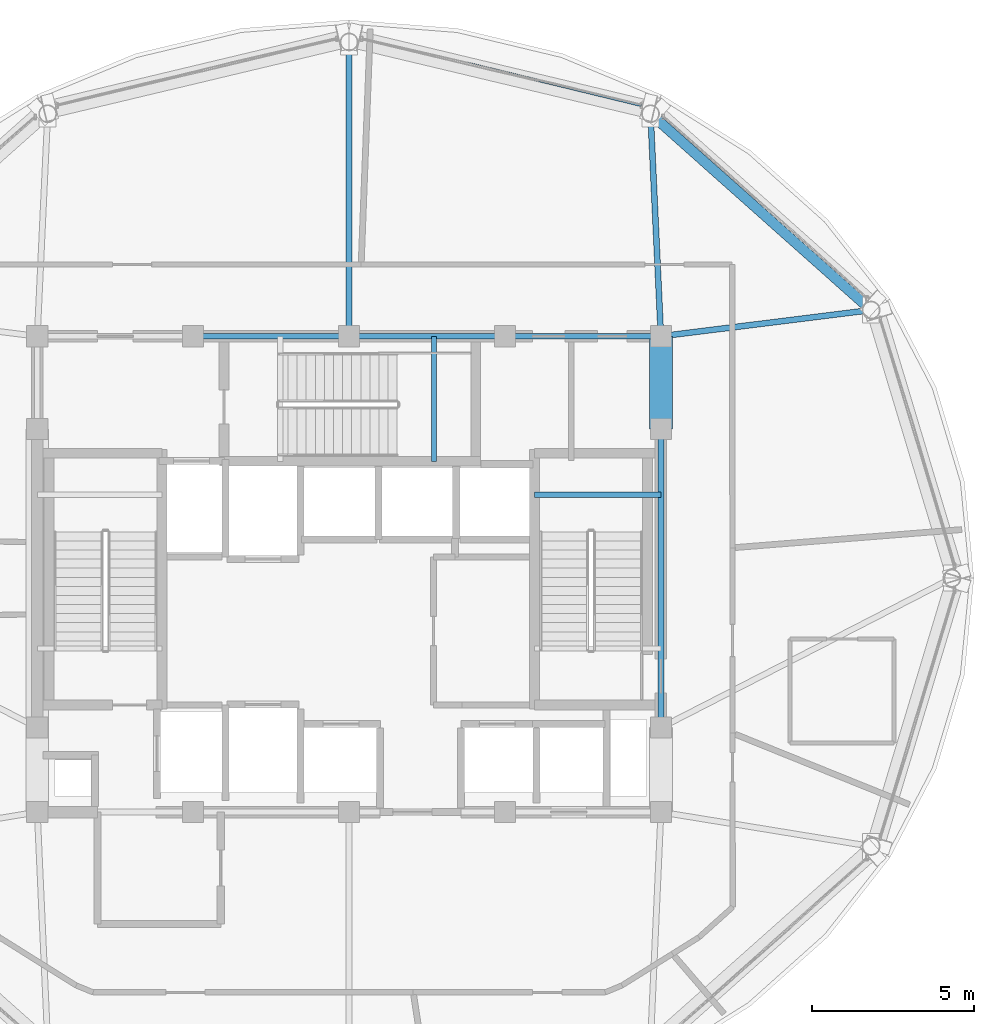
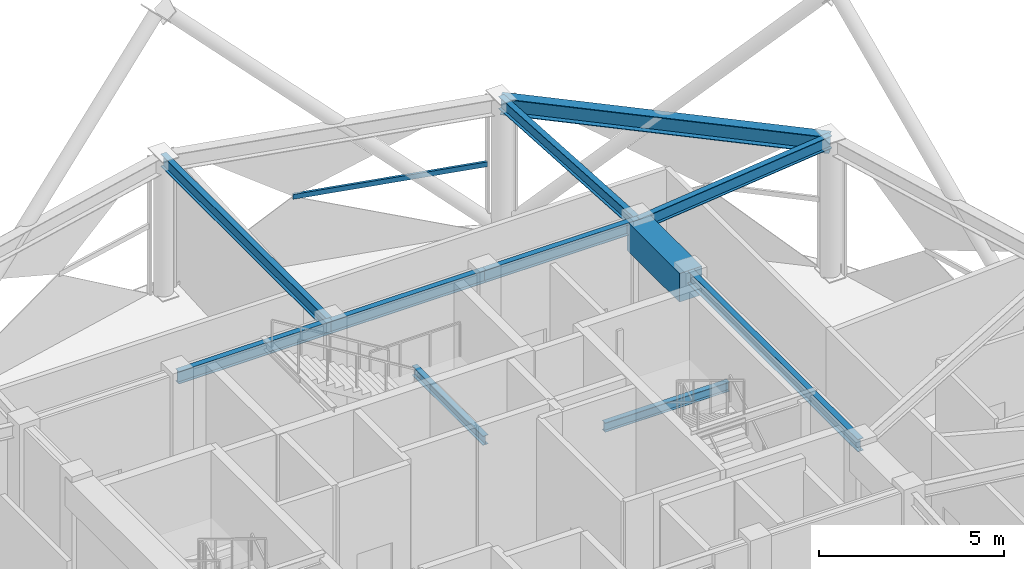
# One storey, part 12 of 27: 11 beams, 1 member, 1 element without a shape of its own.
"""IFC4 building model written with IfcOpenShell, lengths in metres."""

from ifc_helpers import new_model, si_unit, direction, frame, origin, origin_2d, place, context, subcontext, project, spatial, rectangle, hollow_rectangle, i_section, extrude, material, layer, layer_set, material_profile, profile_set, type_object, element, aggregate, save


model = new_model("IFC4")

# Units and contexts
model_context = context("Model", 3, precision=1e-05, world=origin(), true_north=direction((0.0, 1.0)))
body_context = subcontext(model_context, "Body", "Model", "MODEL_VIEW")
ifc_project = project(units=[si_unit("LENGTHUNIT", "METRE"), si_unit("AREAUNIT", "SQUARE_METRE"), si_unit("VOLUMEUNIT", "CUBIC_METRE"), si_unit("PLANEANGLEUNIT", "RADIAN"), si_unit("MASSUNIT", "GRAM", prefix="KILO")], contexts=[model_context])

# Site, building, storey
site_placement = place(None, origin())
site = spatial("IfcSite", under=ifc_project, at=site_placement, CompositionType="ELEMENT")
building_placement = place(site_placement, origin())
building = spatial("IfcBuilding", under=site, at=building_placement, Name="Vantalir Tower", CompositionType="ELEMENT")
storey_placement = place(building_placement, frame((0.0, 0.0, 290.10009765625)))
storey = spatial("IfcBuildingStorey", under=building, at=storey_placement, Name="L73", CompositionType="ELEMENT", Elevation=290.10009765625)

# Beams
ifc_material_1 = material(Name="Concrete C60/75", Category="concrete")
ifc_material_profile_1 = material_profile(ifc_material_1, rectangle(XDim=0.699951171875, YDim=0.949951171875, at=origin_2d()), Name="Concrete C60/75")
ifc_profile_set_1 = profile_set([ifc_material_profile_1], Name="Concrete C60/75")
beam_type_1 = type_object("IfcBeamType", Name="BM-CB-700x950", PredefinedType="USERDEFINED", material=ifc_profile_set_1)
beam_1_placement = place(storey_placement, frame((41.10009765625, 29.60009765625, 4.14501953125), z_axis=(0.0, 1.0, 0.0), x_axis=(-1.0, 0.0, 0.0)))
element("IfcBeam", 1, at=beam_1_placement, inside=storey, type_object=beam_type_1, Name="L73 Core Coupling Girder 07", ObjectType="GIRDER", PredefinedType="USERDEFINED", context=body_context, shape_type="SweptSolid", body=[
    extrude(rectangle(XDim=0.699951171875, YDim=0.949951171875, at=origin_2d()), origin(), (0.0, 0.0, 1.0), 2.849853515625),
])
ifc_material_2 = material(Name="Steel S355", Category="steel")
ifc_material_profile_2 = material_profile(ifc_material_2, i_section(OverallWidth=0.166015625, OverallDepth=0.306884765625, WebThickness=0.006591796875, FlangeThickness=0.01171875, at=origin_2d()), Name="Steel S355")
ifc_profile_set_2 = profile_set([ifc_material_profile_2], Name="Steel S355")
beam_type_2 = type_object("IfcBeamType", Name="BM-JS-305x165", PredefinedType="JOIST", material=ifc_profile_set_2)
beam_2_placement = place(storey_placement, frame((37.2099609375, 27.56494140625, 2.0458984375), z_axis=(1.0, 0.0, 0.0), x_axis=(0.0, 1.0, 0.0)))
element("IfcBeam", 2, at=beam_2_placement, inside=storey, type_object=beam_type_2, Name="L73 Stair ST2 Half-Landing Support Beam", PredefinedType="JOIST", context=body_context, shape_type="SweptSolid", body=[
    extrude(i_section(OverallWidth=0.166015625, OverallDepth=0.306884765625, WebThickness=0.006591796875, FlangeThickness=0.01171875, at=origin_2d()), origin(), (0.0, 0.0, 1.0), 3.89013671875),
])
beam_3_placement = place(storey_placement, frame((34.114990234375, 28.60009765625, 2.0458984375), z_axis=(0.0, 1.0, 0.0), x_axis=(-1.0, 0.0, 0.0)))
element("IfcBeam", 3, at=beam_3_placement, inside=storey, type_object=beam_type_2, Name="L73 Stair ST3 Half-Landing Support Beam", PredefinedType="JOIST", context=body_context, shape_type="SweptSolid", body=[
    extrude(i_section(OverallWidth=0.166015625, OverallDepth=0.306884765625, WebThickness=0.006591796875, FlangeThickness=0.01171875, at=origin_2d()), origin(), (0.0, 0.0, 1.0), 3.849853515625),
])
ifc_material_profile_3 = material_profile(ifc_material_2, i_section(OverallWidth=0.179931640625, OverallDepth=0.4130859375, WebThickness=0.009521484375, FlangeThickness=0.01611328125, at=origin_2d()), Name="Steel S355")
ifc_profile_set_3 = profile_set([ifc_material_profile_3], Name="Steel S355")
beam_type_3 = type_object("IfcBeamType", Name="BM-RB-406x178", PredefinedType="BEAM", material=ifc_profile_set_3)
beam_4_placement = place(storey_placement, frame((41.10009765625, 20.39990234375, 4.413818359375), z_axis=(0.0, 1.0, 0.0), x_axis=(-1.0, 0.0, 0.0)))
element("IfcBeam", 4, at=beam_4_placement, inside=storey, type_object=beam_type_3, Name="L73 Core Coupling Girder 06", PredefinedType="BEAM", context=body_context, shape_type="SweptSolid", body=[
    extrude(i_section(OverallWidth=0.179931640625, OverallDepth=0.4130859375, WebThickness=0.009521484375, FlangeThickness=0.01611328125, at=origin_2d()), origin(), (0.0, 0.0, 1.0), 9.2001953125),
])
for number, where, z_axis, x_axis, name in (
    (5, (41.10009765625, 32.449951171875, 4.413818359375), (-1.0, 0.0, 0.0), (0.0, -1.0, 0.0), "L73 Core Coupling Girder 08"),
    (6, (36.300048828125, 32.449951171875, 4.413818359375), (-1.0, 0.0, 0.0), (0.0, -1.0, 0.0), "L73 Core Coupling Girder 09"),
    (7, (31.5, 32.449951171875, 4.413818359375), (-1.0, 0.0, 0.0), (0.0, -1.0, 0.0), "L73 Core Coupling Girder 10"),
):
    element("IfcBeam", number, at=place(storey_placement, frame(where, z_axis=z_axis, x_axis=x_axis)), inside=storey, type_object=beam_type_3, Name=name, PredefinedType="BEAM", context=body_context, shape_type="SweptSolid", body=[
        extrude(i_section(OverallWidth=0.179931640625, OverallDepth=0.4130859375, WebThickness=0.009521484375, FlangeThickness=0.01611328125, at=origin_2d()), origin(), (0.0, 0.0, 1.0), 4.800048828125),
    ])
beam_5_placement = place(storey_placement, frame((47.572998046875, 33.256103515625, 4.413818359375), z_axis=(-0.992333630483, -0.123587886993, 0.0), x_axis=(0.123587886993, -0.992333630483, 0.0)))
element("IfcBeam", 8, at=beam_5_placement, inside=storey, type_object=beam_type_3, Name="L73 Radial Floor Beam 02", PredefinedType="BEAM", context=body_context, shape_type="SweptSolid", body=[
    extrude(i_section(OverallWidth=0.179931640625, OverallDepth=0.4130859375, WebThickness=0.009521484375, FlangeThickness=0.01611328125, at=origin_2d()), origin(), (0.0, 0.0, 1.0), 6.52294921875),
])
beam_6_placement = place(storey_placement, frame((40.780029296875, 39.300048828125, 4.413818359375), z_axis=(0.04667372074, -0.998910188051, 0.0), x_axis=(0.998910188051, 0.04667372074, 0.0)))
element("IfcBeam", 9, at=beam_6_placement, inside=storey, type_object=beam_type_3, Name="L73 Radial Floor Beam 03", PredefinedType="BEAM", context=body_context, shape_type="SweptSolid", body=[
    extrude(i_section(OverallWidth=0.179931640625, OverallDepth=0.4130859375, WebThickness=0.009521484375, FlangeThickness=0.01611328125, at=origin_2d()), origin(), (0.0, 0.0, 1.0), 6.857666015625),
])
beam_7_placement = place(storey_placement, frame((31.5, 41.511962890625, 4.413818359375), z_axis=(0.0, -1.0, 0.0), x_axis=(1.0, 0.0, 0.0)))
element("IfcBeam", 10, at=beam_7_placement, inside=storey, type_object=beam_type_3, Name="L73 Radial Floor Beam 04", PredefinedType="BEAM", context=body_context, shape_type="SweptSolid", body=[
    extrude(i_section(OverallWidth=0.179931640625, OverallDepth=0.4130859375, WebThickness=0.009521484375, FlangeThickness=0.01611328125, at=origin_2d()), origin(), (0.0, 0.0, 1.0), 9.06201171875),
])
ifc_material_3 = material(Name="Steel S460", Category="steel")
ifc_material_profile_4 = material_profile(ifc_material_3, i_section(OverallWidth=0.31201171875, OverallDepth=0.5419921875, WebThickness=0.0126953125, FlangeThickness=0.020263671875, at=origin_2d()), Name="Steel S460")
ifc_profile_set_4 = profile_set([ifc_material_profile_4], Name="Steel S460")
beam_type_4 = type_object("IfcBeamType", Name="BM-RG-533x312", PredefinedType="USERDEFINED", material=ifc_profile_set_4)
beam_8_placement = place(storey_placement, frame((47.572998046875, 33.256103515625, 4.348876953125), z_axis=(-0.747095174026, 0.664717083388, 0.0), x_axis=(-0.664717083388, -0.747095174026, 0.0)))
element("IfcBeam", 11, at=beam_8_placement, inside=storey, type_object=beam_type_4, Name="L73 Circumferential Ring Girder 02", ObjectType="GIRDER", PredefinedType="USERDEFINED", context=body_context, shape_type="SweptSolid", body=[
    extrude(i_section(OverallWidth=0.31201171875, OverallDepth=0.5419921875, WebThickness=0.0126953125, FlangeThickness=0.020263671875, at=origin_2d()), origin(), (0.0, 0.0, 1.0), 9.092529296875),
])

# Curtain wall, member
ifc_material_4 = material(Name="Champagne-silver PVDF aluminium and double-silver Low-E glass", Category="aluminium")
ifc_layer = layer(ifc_material_4, 0.219970703125)
ifc_layer_set = layer_set([ifc_layer], Name="Champagne-silver PVDF aluminium and double-silver Low-E glass")
curtain_wall_type = type_object("IfcCurtainWallType", Name="CW-DIAMOND-Z4", PredefinedType="USERDEFINED", material=ifc_layer_set)
curtain_wall_placement = place(storey_placement, origin())
curtain_wall = element("IfcCurtainWall", 12, at=curtain_wall_placement, inside=storey, type_object=curtain_wall_type, Name="L73 Quilted Pyramid-Diamond Curtain Wall S03", ObjectType="UNITISED CURTAIN WALL", PredefinedType="USERDEFINED")
ifc_material_5 = material(Name="Champagne-silver PVDF aluminium 6063-T6", Category="aluminium")
ifc_material_profile_5 = material_profile(ifc_material_5, hollow_rectangle(XDim=0.074951171875, YDim=0.159912109375, WallThickness=0.00390625, at=origin_2d()), Name="Champagne-silver PVDF aluminium 6063-T6")
ifc_profile_set_5 = profile_set([ifc_material_profile_5], Name="Champagne-silver PVDF aluminium 6063-T6")
member_type = type_object("IfcMemberType", Name="CWT-160x75", PredefinedType="USERDEFINED", material=ifc_profile_set_5)
member_placement = place(storey_placement, frame((40.49609375, 39.554931640625, 2.309814453125), z_axis=(-0.971673120554, 0.236328895384, 0.0), x_axis=(-0.236328895384, -0.971673120554, 0.0)))
member = element("IfcMember", 13, at=member_placement, type_object=member_type, Name="CW-L73-S03 Pyramid Fold Ridge Transom", ObjectType="TRANSOM", PredefinedType="USERDEFINED", context=body_context, shape_type="SweptSolid", body=[
    extrude(hollow_rectangle(XDim=0.074951171875, YDim=0.159912109375, WallThickness=0.00390625, at=origin_2d()), origin(), (0.0, 0.0, 1.0), 5.49267578125),
])
aggregate(curtain_wall, [member])

save(model, "model.ifc")
